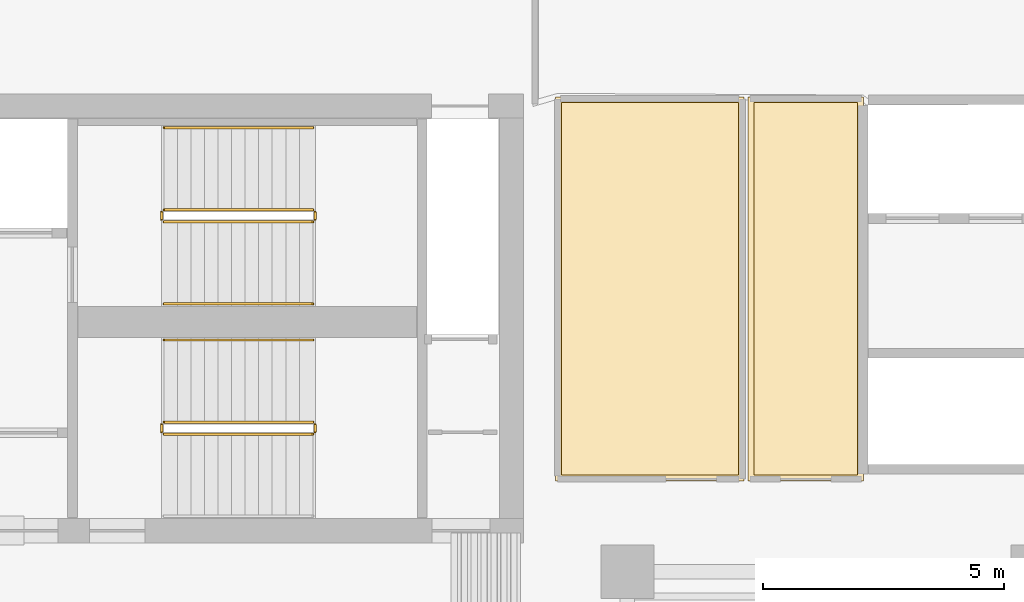
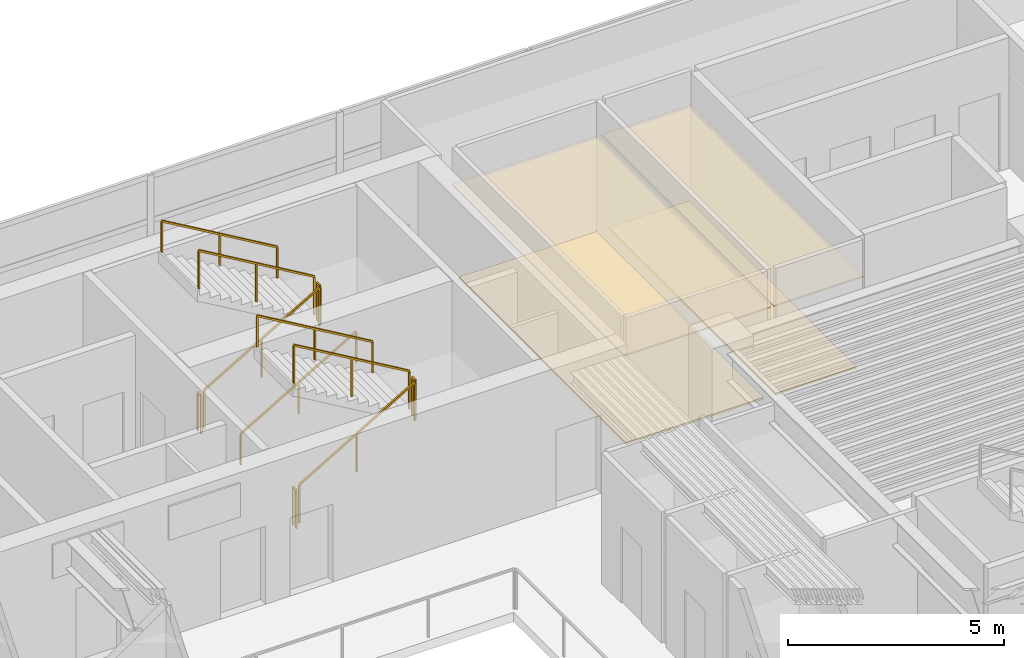
# One storey, part 12 of 13: 11 railings, 4 coverings.
"""IFC4 building model written with IfcOpenShell, lengths in metres."""

from ifc_helpers import new_model, si_unit, direction, frame, origin, origin_2d, place, context, subcontext, project, spatial, polyline, rectangle, outline, extrude, material, layer, layer_set, type_object, element, save


model = new_model("IFC4")

# Units and contexts
model_context = context("Model", 3, precision=1e-05, world=origin(), true_north=direction((0.0, 1.0)))
body_context = subcontext(model_context, "Body", "Model", "MODEL_VIEW")
ifc_project = project(units=[si_unit("LENGTHUNIT", "METRE"), si_unit("AREAUNIT", "SQUARE_METRE"), si_unit("VOLUMEUNIT", "CUBIC_METRE"), si_unit("PLANEANGLEUNIT", "RADIAN"), si_unit("MASSUNIT", "GRAM", prefix="KILO")], contexts=[model_context])

# Site, building, storey
site_placement = place(None, origin())
site = spatial("IfcSite", under=ifc_project, at=site_placement, CompositionType="ELEMENT")
building_placement = place(site_placement, origin())
building = spatial("IfcBuilding", under=site, at=building_placement, Name="Caeloran Harvest Quay", CompositionType="ELEMENT")
storey_placement = place(building_placement, frame((0.0, 0.0, 123.25)))
storey = spatial("IfcBuildingStorey", under=building, at=storey_placement, Name="L28", CompositionType="ELEMENT", Elevation=123.25)

# Coverings
ifc_material_1 = material(Name="Perforated Mineral-Fibre Acoustic Ceiling Tile", Category="ceiling")
ifc_layer_1 = layer(ifc_material_1, 0.0400390625, Name="Perforated Mineral-Fibre Acoustic Ceiling Tile")
ifc_layer_set_1 = layer_set([ifc_layer_1], Name="Perforated Mineral-Fibre Acoustic Ceiling Tile")
covering_type_1 = type_object("IfcCoveringType", Name="COV-CEILING-ACOUSTIC", PredefinedType="CEILING", material=ifc_layer_set_1)
covering_1_placement = place(storey_placement, frame((0.0, 0.0, 2.60009765625)))
element("IfcCovering", 1, at=covering_1_placement, inside=storey, type_object=covering_type_1, Name="L28 Crop Phenotyping West Laboratory Acoustic Ceiling", PredefinedType="CEILING", context=body_context, shape_type="SweptSolid", body=[
    extrude(outline(polyline([(27.919921875, 40.840087890625), (27.919921875, 32.8798828125), (24.010009765625, 32.8798828125), (24.010009765625, 40.840087890625), (27.919921875, 40.840087890625)])), origin(), (0.0, 0.0, 1.0), 0.039794921875),
])
covering_2_placement = place(storey_placement, frame((0.0, 0.0, 2.60009765625)))
element("IfcCovering", 2, at=covering_2_placement, inside=storey, type_object=covering_type_1, Name="L28 Genomics Sequencing East Studio Acoustic Ceiling", PredefinedType="CEILING", context=body_context, shape_type="SweptSolid", body=[
    extrude(outline(polyline([(30.389892578125, 40.840087890625), (30.389892578125, 32.8798828125), (28.0, 32.8798828125), (28.0, 40.840087890625), (30.389892578125, 40.840087890625)])), origin(), (0.0, 0.0, 1.0), 0.039794921875),
])
ifc_material_2 = material(Name="Calcium-Sulphate Raised Access Floor and Terrazzo Finish", Category="flooring")
ifc_layer_2 = layer(ifc_material_2, 0.050048828125, Name="Calcium-Sulphate Raised Access Floor and Terrazzo Finish")
ifc_layer_set_2 = layer_set([ifc_layer_2], Name="Calcium-Sulphate Raised Access Floor and Terrazzo Finish")
covering_type_2 = type_object("IfcCoveringType", Name="COV-FLOOR-RAISED", PredefinedType="FLOORING", material=ifc_layer_set_2)
covering_3_placement = place(storey_placement, origin())
element("IfcCovering", 3, at=covering_3_placement, inside=storey, type_object=covering_type_2, Name="L28 Crop Phenotyping West Laboratory Raised Finish Flooring", PredefinedType="FLOORING", context=body_context, shape_type="SweptSolid", body=[
    extrude(outline(polyline([(27.800048828125, 40.719970703125), (27.800048828125, 33.0), (24.1298828125, 33.0), (24.1298828125, 40.719970703125), (27.800048828125, 40.719970703125)])), origin(), (0.0, 0.0, 1.0), 0.050048828125),
])
covering_4_placement = place(storey_placement, origin())
element("IfcCovering", 4, at=covering_4_placement, inside=storey, type_object=covering_type_2, Name="L28 Genomics Sequencing East Studio Raised Finish Flooring", PredefinedType="FLOORING", context=body_context, shape_type="SweptSolid", body=[
    extrude(outline(polyline([(30.27001953125, 40.719970703125), (30.27001953125, 33.0), (28.1201171875, 33.0), (28.1201171875, 40.719970703125), (30.27001953125, 40.719970703125)])), origin(), (0.0, 0.0, 1.0), 0.050048828125),
])

# Railings
ifc_material_3 = material(Name="Painted Steel Baluster and Top-Rail Stair Guard", Category="steel")
ifc_layer_3 = layer(ifc_material_3, 0.050048828125, Name="Painted Steel Baluster and Top-Rail Stair Guard")
ifc_layer_set_3 = layer_set([ifc_layer_3], Name="Painted Steel Baluster and Top-Rail Stair Guard")
railing_type_1 = type_object("IfcRailingType", Name="STAIR-GUARD-1100", PredefinedType="GUARDRAIL", material=ifc_layer_set_3)
railing_1_placement = place(storey_placement, frame((15.89990234375, 38.25, 0.16455078125)))
element("IfcRailing", 5, at=railing_1_placement, inside=storey, type_object=railing_type_1, Name="L28 ST-C1 stair guard 1", PredefinedType="GUARDRAIL", context=body_context, shape_type="SweptSolid", body=[
    extrude(rectangle(XDim=0.048095703125, YDim=0.048095703125, at=origin_2d()), frame((0.0, 0.0, 1.076171875), z_axis=(0.862088758681, 0.0, 0.506757310905), x_axis=(0.0, 1.0, 0.0)), (0.0, 0.0, 1.0), 3.57275390625),
    extrude(rectangle(XDim=0.0419921875, YDim=0.0419921875, at=origin_2d()), origin(), (0.0, 0.0, 1.0), 1.052001953125),
    extrude(rectangle(XDim=0.0419921875, YDim=0.0419921875, at=origin_2d()), frame((1.5400390625, 0.0, 0.9052734375)), (0.0, 0.0, 1.0), 1.052001953125),
    extrude(rectangle(XDim=0.0419921875, YDim=0.0419921875, at=origin_2d()), frame((3.080078125, 0.0, 1.810546875)), (0.0, 0.0, 1.0), 1.052001953125),
])
railing_2_placement = place(storey_placement, frame((19.030029296875, 38.300048828125, 1.97509765625)))
element("IfcRailing", 6, at=railing_2_placement, inside=storey, type_object=railing_type_1, Name="L28 ST-C1 stair guard 2", PredefinedType="GUARDRAIL", context=body_context, shape_type="SweptSolid", body=[
    extrude(rectangle(XDim=0.048095703125, YDim=0.048095703125, at=origin_2d()), frame((0.0, 0.0, 1.076171875), z_axis=(0.0, 1.0, 0.0), x_axis=(-1.0, 0.0, 0.0)), (0.0, 0.0, 1.0), 0.14990234375),
    extrude(rectangle(XDim=0.0419921875, YDim=0.0419921875, at=origin_2d()), origin(), (0.0, 0.0, 1.0), 1.052001953125),
    extrude(rectangle(XDim=0.0419921875, YDim=0.0419921875, at=origin_2d()), frame((0.0, 0.14990234375, 0.0)), (0.0, 0.0, 1.0), 1.052001953125),
])
railing_3_placement = place(storey_placement, frame((18.97998046875, 38.5, 2.1396484375)))
element("IfcRailing", 7, at=railing_3_placement, inside=storey, type_object=railing_type_1, Name="L28 ST-C1 stair guard 3", PredefinedType="GUARDRAIL", context=body_context, shape_type="SweptSolid", body=[
    extrude(rectangle(XDim=0.048095703125, YDim=0.048095703125, at=origin_2d()), frame((0.0, 0.0, 1.076171875), z_axis=(-0.862118610829, 0.0, 0.506706523406), x_axis=(0.0, -1.0, 0.0)), (0.0, 0.0, 1.0), 3.57275390625),
    extrude(rectangle(XDim=0.0419921875, YDim=0.0419921875, at=origin_2d()), origin(), (0.0, 0.0, 1.0), 1.052001953125),
    extrude(rectangle(XDim=0.0419921875, YDim=0.0419921875, at=origin_2d()), frame((-1.5400390625, 0.0, 0.9052734375)), (0.0, 0.0, 1.0), 1.052001953125),
    extrude(rectangle(XDim=0.0419921875, YDim=0.0419921875, at=origin_2d()), frame((-3.080078125, 0.0, 1.810302734375)), (0.0, 0.0, 1.0), 1.052001953125),
])
railing_4_placement = place(storey_placement, frame((15.85009765625, 38.300048828125, 0.0)))
element("IfcRailing", 8, at=railing_4_placement, inside=storey, type_object=railing_type_1, Name="L28 ST-C1 stair guard 4", PredefinedType="GUARDRAIL", context=body_context, shape_type="SweptSolid", body=[
    extrude(rectangle(XDim=0.048095703125, YDim=0.048095703125, at=origin_2d()), frame((0.0, 0.0, 1.076171875), z_axis=(0.0, 1.0, 0.0), x_axis=(-1.0, 0.0, 0.0)), (0.0, 0.0, 1.0), 0.14990234375),
    extrude(rectangle(XDim=0.0419921875, YDim=0.0419921875, at=origin_2d()), origin(), (0.0, 0.0, 1.0), 1.052001953125),
    extrude(rectangle(XDim=0.0419921875, YDim=0.0419921875, at=origin_2d()), frame((0.0, 0.14990234375, 0.0)), (0.0, 0.0, 1.0), 1.052001953125),
])
railing_5_placement = place(storey_placement, frame((15.89990234375, 33.85009765625, 0.16455078125)))
element("IfcRailing", 9, at=railing_5_placement, inside=storey, type_object=railing_type_1, Name="L28 ST-C2 stair guard 1", PredefinedType="GUARDRAIL", context=body_context, shape_type="SweptSolid", body=[
    extrude(rectangle(XDim=0.048095703125, YDim=0.048095703125, at=origin_2d()), frame((0.0, 0.0, 1.076171875), z_axis=(0.862088758681, 0.0, 0.506757310905), x_axis=(0.0, 1.0, 0.0)), (0.0, 0.0, 1.0), 3.57275390625),
    extrude(rectangle(XDim=0.0419921875, YDim=0.0419921875, at=origin_2d()), origin(), (0.0, 0.0, 1.0), 1.052001953125),
    extrude(rectangle(XDim=0.0419921875, YDim=0.0419921875, at=origin_2d()), frame((1.5400390625, 0.0, 0.9052734375)), (0.0, 0.0, 1.0), 1.052001953125),
    extrude(rectangle(XDim=0.0419921875, YDim=0.0419921875, at=origin_2d()), frame((3.080078125, 0.0, 1.810546875)), (0.0, 0.0, 1.0), 1.052001953125),
])
railing_6_placement = place(storey_placement, frame((19.030029296875, 33.89990234375, 1.97509765625)))
element("IfcRailing", 10, at=railing_6_placement, inside=storey, type_object=railing_type_1, Name="L28 ST-C2 stair guard 2", PredefinedType="GUARDRAIL", context=body_context, shape_type="SweptSolid", body=[
    extrude(rectangle(XDim=0.048095703125, YDim=0.048095703125, at=origin_2d()), frame((0.0, 0.0, 1.076171875), z_axis=(0.0, 1.0, 0.0), x_axis=(-1.0, 0.0, 0.0)), (0.0, 0.0, 1.0), 0.150146484375),
    extrude(rectangle(XDim=0.0419921875, YDim=0.0419921875, at=origin_2d()), origin(), (0.0, 0.0, 1.0), 1.052001953125),
    extrude(rectangle(XDim=0.0419921875, YDim=0.0419921875, at=origin_2d()), frame((0.0, 0.150146484375, 0.0)), (0.0, 0.0, 1.0), 1.052001953125),
])
railing_7_placement = place(storey_placement, frame((18.97998046875, 34.10009765625, 2.1396484375)))
element("IfcRailing", 11, at=railing_7_placement, inside=storey, type_object=railing_type_1, Name="L28 ST-C2 stair guard 3", PredefinedType="GUARDRAIL", context=body_context, shape_type="SweptSolid", body=[
    extrude(rectangle(XDim=0.048095703125, YDim=0.048095703125, at=origin_2d()), frame((0.0, 0.0, 1.076171875), z_axis=(-0.862118610829, 0.0, 0.506706523406), x_axis=(0.0, -1.0, 0.0)), (0.0, 0.0, 1.0), 3.57275390625),
    extrude(rectangle(XDim=0.0419921875, YDim=0.0419921875, at=origin_2d()), origin(), (0.0, 0.0, 1.0), 1.052001953125),
    extrude(rectangle(XDim=0.0419921875, YDim=0.0419921875, at=origin_2d()), frame((-1.5400390625, 0.0, 0.9052734375)), (0.0, 0.0, 1.0), 1.052001953125),
    extrude(rectangle(XDim=0.0419921875, YDim=0.0419921875, at=origin_2d()), frame((-3.080078125, 0.0, 1.810302734375)), (0.0, 0.0, 1.0), 1.052001953125),
])
railing_8_placement = place(storey_placement, frame((15.85009765625, 33.89990234375, 0.0)))
element("IfcRailing", 12, at=railing_8_placement, inside=storey, type_object=railing_type_1, Name="L28 ST-C2 stair guard 4", PredefinedType="GUARDRAIL", context=body_context, shape_type="SweptSolid", body=[
    extrude(rectangle(XDim=0.048095703125, YDim=0.048095703125, at=origin_2d()), frame((0.0, 0.0, 1.076171875), z_axis=(0.0, 1.0, 0.0), x_axis=(-1.0, 0.0, 0.0)), (0.0, 0.0, 1.0), 0.150146484375),
    extrude(rectangle(XDim=0.0419921875, YDim=0.0419921875, at=origin_2d()), origin(), (0.0, 0.0, 1.0), 1.052001953125),
    extrude(rectangle(XDim=0.0419921875, YDim=0.0419921875, at=origin_2d()), frame((0.0, 0.150146484375, 0.0)), (0.0, 0.0, 1.0), 1.052001953125),
])
ifc_material_4 = material(Name="Brushed Stainless Steel Grade 304", Category="steel")
ifc_layer_4 = layer(ifc_material_4, 0.050048828125, Name="Brushed Stainless Steel Grade 304")
ifc_layer_set_4 = layer_set([ifc_layer_4], Name="Brushed Stainless Steel Grade 304")
railing_type_2 = type_object("IfcRailingType", Name="STAIR-HANDRAIL-900", PredefinedType="HANDRAIL", material=ifc_layer_set_4)
railing_9_placement = place(storey_placement, frame((15.89990234375, 36.550048828125, 0.16455078125)))
element("IfcRailing", 13, at=railing_9_placement, inside=storey, type_object=railing_type_2, Name="L28 ST-C1 stair handrail 1", PredefinedType="HANDRAIL", context=body_context, shape_type="SweptSolid", body=[
    extrude(rectangle(XDim=0.048095703125, YDim=0.048095703125, at=origin_2d()), frame((0.0, 0.0, 0.8759765625), z_axis=(0.862088758681, 0.0, 0.506757310905), x_axis=(0.0, 1.0, 0.0)), (0.0, 0.0, 1.0), 3.57275390625),
    extrude(rectangle(XDim=0.0419921875, YDim=0.0419921875, at=origin_2d()), origin(), (0.0, 0.0, 1.0), 0.851806640625),
    extrude(rectangle(XDim=0.0419921875, YDim=0.0419921875, at=origin_2d()), frame((1.5400390625, 0.0, 0.9052734375)), (0.0, 0.0, 1.0), 0.851806640625),
    extrude(rectangle(XDim=0.0419921875, YDim=0.0419921875, at=origin_2d()), frame((3.080078125, 0.0, 1.810546875)), (0.0, 0.0, 1.0), 0.851806640625),
])
for number, where, name in (
    (14, (18.97998046875, 40.199951171875, 2.1396484375), "L28 ST-C1 stair handrail 2"),
    (15, (18.97998046875, 35.800048828125, 2.1396484375), "L28 ST-C2 stair handrail 2"),
):
    element("IfcRailing", number, at=place(storey_placement, frame(where)), inside=storey, type_object=railing_type_2, Name=name, PredefinedType="HANDRAIL", context=body_context, shape_type="SweptSolid", body=[
        extrude(rectangle(XDim=0.048095703125, YDim=0.048095703125, at=origin_2d()), frame((0.0, 0.0, 0.8759765625), z_axis=(-0.862118610829, 0.0, 0.506706523406), x_axis=(0.0, -1.0, 0.0)), (0.0, 0.0, 1.0), 3.57275390625),
        extrude(rectangle(XDim=0.0419921875, YDim=0.0419921875, at=origin_2d()), origin(), (0.0, 0.0, 1.0), 0.851806640625),
        extrude(rectangle(XDim=0.0419921875, YDim=0.0419921875, at=origin_2d()), frame((-1.5400390625, 0.0, 0.9052734375)), (0.0, 0.0, 1.0), 0.851806640625),
        extrude(rectangle(XDim=0.0419921875, YDim=0.0419921875, at=origin_2d()), frame((-3.080078125, 0.0, 1.810302734375)), (0.0, 0.0, 1.0), 0.851806640625),
    ])

save(model, "model.ifc")
